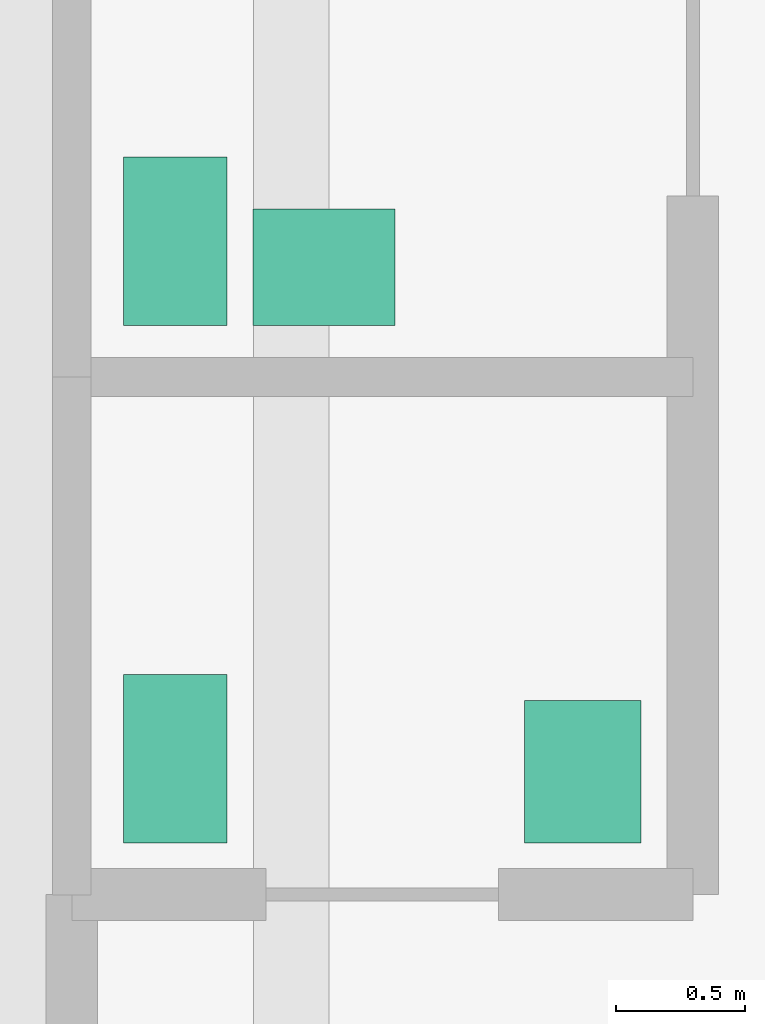
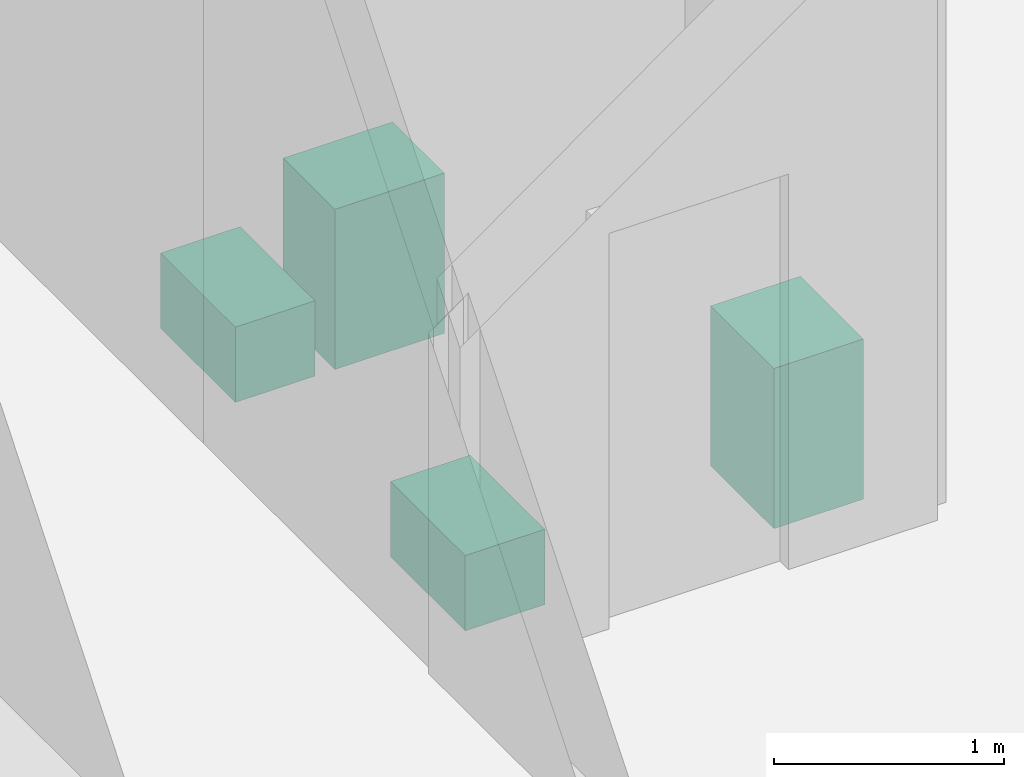
# One storey, part 9 of 9: 4 sanitary terminals.
"""IFC4 building model written with IfcOpenShell, lengths in metres."""

from ifc_helpers import new_model, si_unit, direction, frame, origin, origin_2d, place, context, subcontext, project, spatial, rectangle, extrude, material, type_object, element, save


model = new_model("IFC4")

# Units and contexts
model_context = context("Model", 3, precision=1e-05, world=origin(), true_north=direction((0.0, 1.0)))
body_context = subcontext(model_context, "Body", "Model", "MODEL_VIEW")
ifc_project = project(units=[si_unit("LENGTHUNIT", "METRE"), si_unit("AREAUNIT", "SQUARE_METRE"), si_unit("VOLUMEUNIT", "CUBIC_METRE"), si_unit("PLANEANGLEUNIT", "RADIAN"), si_unit("MASSUNIT", "GRAM", prefix="KILO")], contexts=[model_context])

# Site, building, storey
site_placement = place(None, origin())
site = spatial("IfcSite", under=ifc_project, at=site_placement, CompositionType="ELEMENT")
building_placement = place(site_placement, origin())
building = spatial("IfcBuilding", under=site, at=building_placement, Name="Mashrafa Tower", CompositionType="ELEMENT")
storey_placement = place(building_placement, frame((0.0, 0.0, 189.0)))
storey = spatial("IfcBuildingStorey", under=building, at=storey_placement, Name="L43", CompositionType="ELEMENT", Elevation=189.0)

# Sanitary terminals
ifc_material_1 = material(Name="Vitreous china")
sanitary_terminal_type_1 = type_object("IfcSanitaryTerminalType", Name="Toilet pan 400 x 650", PredefinedType="TOILETPAN", material=ifc_material_1)
for number, where, z_axis, x_axis, name in (
    (1, (13.449951171875, 3.125, 0.0), (0.0, 0.0, 1.0), (1.0, 0.0, 0.0), "Toilet pan Refuge WC L43"),
    (2, (13.449951171875, 5.125, 0.0), (0.0, 0.0, 1.0), (1.0, 0.0, 0.0), "Toilet pan Refuge Accessible WC L43"),
):
    element("IfcSanitaryTerminal", number, at=place(storey_placement, frame(where, z_axis=z_axis, x_axis=x_axis)), inside=storey, type_object=sanitary_terminal_type_1, Name=name, PredefinedType="TOILETPAN", context=body_context, shape_type="SweptSolid", body=[
        extrude(rectangle(XDim=0.39990234375, YDim=0.64990234375, at=origin_2d()), origin(), (0.0, 0.0, 1.0), 0.39990234375),
    ])
ifc_material_2 = material(Name="Vitreous china")
sanitary_terminal_type_2 = type_object("IfcSanitaryTerminalType", Name="Wash basin 550 x 450", PredefinedType="WASHHANDBASIN", material=ifc_material_2)
for number, where, z_axis, x_axis, name in (
    (3, (15.02490234375, 3.074951171875, 0.0), (0.0, 0.0, 1.0), (0.0, 1.0, 0.0), "Wash basin Refuge WC L43"),
    (4, (14.02490234375, 5.02490234375, 0.0), (0.0, 0.0, 1.0), (1.0, 0.0, 0.0), "Wash basin Refuge Accessible WC L43"),
):
    element("IfcSanitaryTerminal", number, at=place(storey_placement, frame(where, z_axis=z_axis, x_axis=x_axis)), inside=storey, type_object=sanitary_terminal_type_2, Name=name, PredefinedType="WASHHANDBASIN", context=body_context, shape_type="SweptSolid", body=[
        extrude(rectangle(XDim=0.550048828125, YDim=0.449951171875, at=origin_2d()), origin(), (0.0, 0.0, 1.0), 0.85009765625),
    ])

save(model, "model.ifc")
